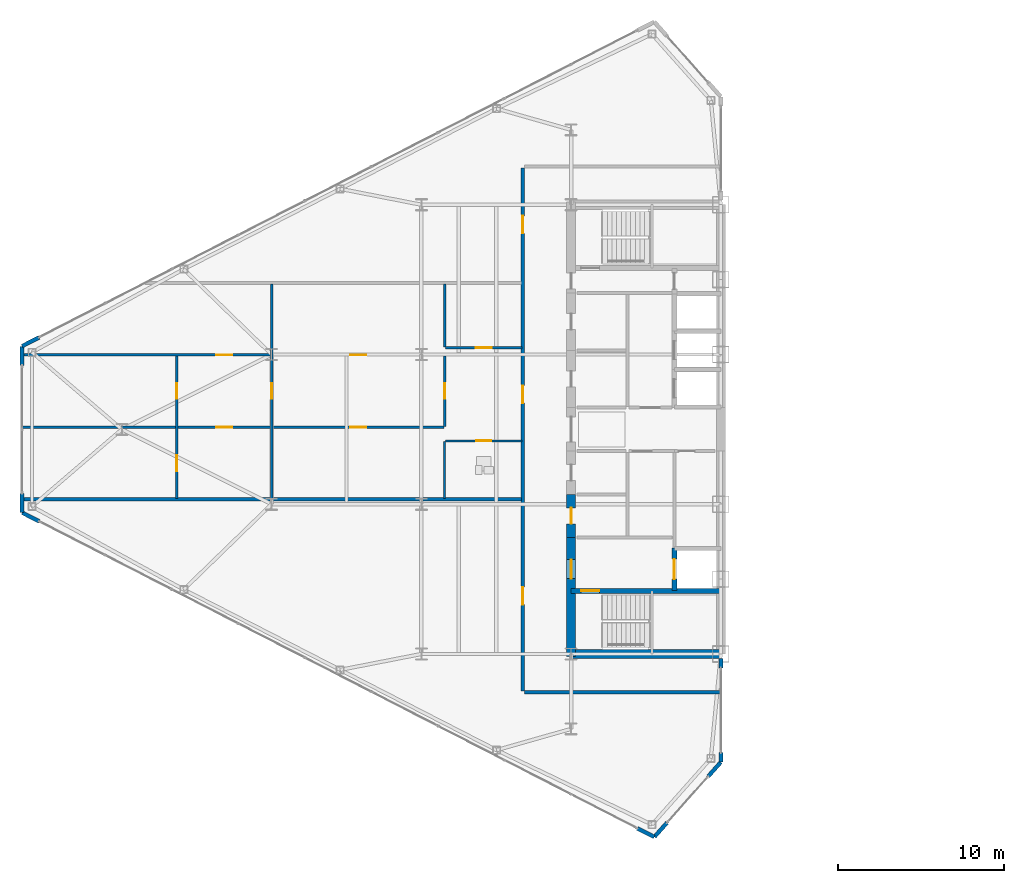
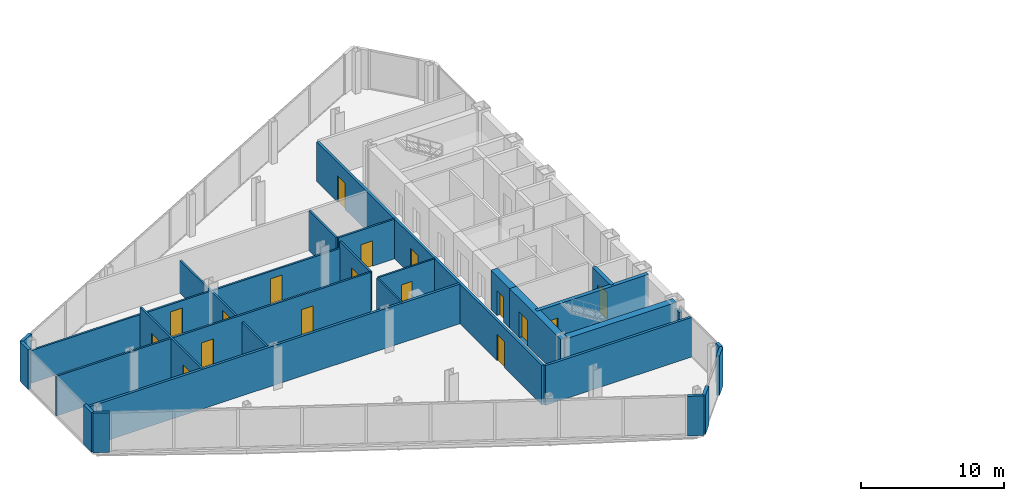
# One storey, part 15 of 22: 26 walls, 17 doors, 17 openings.
"""IFC4 building model written with IfcOpenShell, lengths in metres."""

from ifc_helpers import new_model, si_unit, direction, frame, frame_2d, origin, place, context, subcontext, project, spatial, rectangle, extrude, source, transform, mapped, material, layer, layer_set, type_object, type_shapes, element, fill, save


model = new_model("IFC4")

# Units and contexts
model_context = context("Model", 3, precision=1e-05, world=origin(), true_north=direction((0.0, 1.0)))
body_context = subcontext(model_context, "Body", "Model", "MODEL_VIEW")
ifc_project = project(units=[si_unit("LENGTHUNIT", "METRE"), si_unit("AREAUNIT", "SQUARE_METRE"), si_unit("VOLUMEUNIT", "CUBIC_METRE"), si_unit("PLANEANGLEUNIT", "RADIAN"), si_unit("MASSUNIT", "GRAM", prefix="KILO")], contexts=[model_context])

# Site, building, storey
site_placement = place(None, origin())
site = spatial("IfcSite", under=ifc_project, at=site_placement, CompositionType="ELEMENT")
building_placement = place(site_placement, origin())
building = spatial("IfcBuilding", under=site, at=building_placement, Name="Seokmaru Belvedere", CompositionType="ELEMENT")
storey_placement = place(building_placement, frame((0.0, 0.0, 151.199951171875)))
storey = spatial("IfcBuildingStorey", under=building, at=storey_placement, Name="L40", CompositionType="ELEMENT", Elevation=151.199951171875)

# Wall, openings, doors
ifc_material_1 = material(Name="Fire-Rated Gypsum Shaftwall")
ifc_layer_1 = layer(ifc_material_1, 0.14990234375)
ifc_layer_set_1 = layer_set([ifc_layer_1], Name="Fire-Rated Gypsum Shaftwall")
wall_type_1 = type_object("IfcWallType", Name="Apartment Fire-Acoustic Room Partition 150", PredefinedType="PARTITIONING", material=ifc_layer_set_1)
wall_1_placement = place(storey_placement, frame((-69.534912109375, 0.1298828125, 0.0), z_axis=(0.0, 0.0, 1.0), x_axis=(1.0, 0.0, 0.0)))
wall_1 = element("IfcWall", 1, at=wall_1_placement, inside=storey, type_object=wall_type_1, Name="L40 Interior Partition 009", PredefinedType="PARTITIONING", context=body_context, shape_type="SweptSolid", body=[
    extrude(rectangle(XDim=25.385009765625, YDim=0.14990234375, at=frame_2d((12.6923828125, 0.0))), origin(), (0.0, 0.0, 1.0), 3.380126953125),
])
opening_1_placement = place(wall_1_placement, frame((19.760009765625, 0.0, 0.0)))
opening_1 = element("IfcOpeningElement", 2, at=opening_1_placement, cuts=wall_1, Name="Opening D05", PredefinedType="OPENING", context=body_context, shape_type="SweptSolid", body=[
    extrude(rectangle(XDim=0.949951171875, YDim=2.14990234375, at=frame_2d((0.47509765625, 1.074951171875))), frame((0.0, 0.0849609375, 0.0), z_axis=(0.0, -1.0, 0.0), x_axis=(1.0, 0.0, 0.0)), (0.0, 0.0, 1.0), 0.169921875),
])
opening_2_placement = place(wall_1_placement, frame((11.7099609375, 0.0, 0.0)))
opening_2 = element("IfcOpeningElement", 3, at=opening_2_placement, cuts=wall_1, Name="Opening D05", PredefinedType="OPENING", context=body_context, shape_type="SweptSolid", body=[
    extrude(rectangle(XDim=0.949951171875, YDim=2.14990234375, at=frame_2d((0.47509765625, 1.074951171875))), frame((0.0, 0.0849609375, 0.0), z_axis=(0.0, -1.0, 0.0), x_axis=(1.0, 0.0, 0.0)), (0.0, 0.0, 1.0), 0.169921875),
])
ifc_material_2 = material(Name="Engineered White Oak Timber", Category="wood")
door_type_1 = type_object("IfcDoorType", Name="Apartment Interior Fire-Rated Oak Door 950x2150", OperationType="NOTDEFINED", PredefinedType="DOOR", material=ifc_material_2)
shared_shape_1 = source(origin(), body_context, "Body", "SweptSolid", [
    extrude(rectangle(XDim=0.949951171875, YDim=2.14990234375, at=frame_2d((0.47509765625, 1.074951171875))), frame((0.0, 0.02490234375, 0.0), z_axis=(0.0, -1.0, 0.0), x_axis=(1.0, 0.0, 0.0)), (0.0, 0.0, 1.0), 0.050048828125),
])
type_shapes(door_type_1, [shared_shape_1])
door_1_placement = place(opening_1_placement, origin())
door_1 = element("IfcDoor", 4, at=door_1_placement, inside=storey, type_object=door_type_1, Name="L40 Interior Door 007", OperationType="SINGLE_SWING_LEFT", OverallHeight=2.14990234375, OverallWidth=0.949951171875, PredefinedType="DOOR", context=body_context, shape_type="MappedRepresentation", body=[
    mapped(shared_shape_1, transform((0.0, 0.0, 0.0), scale=1.0)),
])
fill(opening_1, door_1)
door_2_placement = place(opening_2_placement, origin())
door_2 = element("IfcDoor", 5, at=door_2_placement, inside=storey, type_object=door_type_1, Name="L40 Interior Door 009", OperationType="SINGLE_SWING_LEFT", OverallHeight=2.14990234375, OverallWidth=0.949951171875, PredefinedType="DOOR", context=body_context, shape_type="MappedRepresentation", body=[
    mapped(shared_shape_1, transform((0.0, 0.0, 0.0), scale=1.0)),
])
fill(opening_2, door_2)

wall_2_placement = place(storey_placement, frame((-69.375, 4.469970703125, 0.0), z_axis=(0.0, 0.0, 1.0), x_axis=(1.0, 0.0, 0.0)))
wall_2 = element("IfcWall", 6, at=wall_2_placement, inside=storey, type_object=wall_type_1, Name="L40 Interior Partition 012", PredefinedType="PARTITIONING", context=body_context, shape_type="SweptSolid", body=[
    extrude(rectangle(XDim=25.22509765625, YDim=0.14990234375, at=frame_2d((12.612548828125, 0.0))), origin(), (0.0, 0.0, 1.0), 2.780029296875),
])
opening_3_placement = place(wall_2_placement, frame((19.60009765625, 0.0, 0.0)))
opening_3 = element("IfcOpeningElement", 7, at=opening_3_placement, cuts=wall_2, Name="Opening D05", PredefinedType="OPENING", context=body_context, shape_type="SweptSolid", body=[
    extrude(rectangle(XDim=0.949951171875, YDim=2.14990234375, at=frame_2d((0.47509765625, 1.074951171875))), frame((0.0, 0.0849609375, 0.0), z_axis=(0.0, -1.0, 0.0), x_axis=(1.0, 0.0, 0.0)), (0.0, 0.0, 1.0), 0.169921875),
])
opening_4_placement = place(wall_2_placement, frame((11.550048828125, 0.0, 0.0)))
opening_4 = element("IfcOpeningElement", 8, at=opening_4_placement, cuts=wall_2, Name="Opening D05", PredefinedType="OPENING", context=body_context, shape_type="SweptSolid", body=[
    extrude(rectangle(XDim=0.949951171875, YDim=2.14990234375, at=frame_2d((0.47509765625, 1.074951171875))), frame((0.0, 0.0849609375, 0.0), z_axis=(0.0, -1.0, 0.0), x_axis=(1.0, 0.0, 0.0)), (0.0, 0.0, 1.0), 0.169921875),
])
door_3_placement = place(opening_3_placement, origin())
door_3 = element("IfcDoor", 9, at=door_3_placement, inside=storey, type_object=door_type_1, Name="L40 Interior Door 008", OperationType="SINGLE_SWING_RIGHT", OverallHeight=2.14990234375, OverallWidth=0.949951171875, PredefinedType="DOOR", context=body_context, shape_type="MappedRepresentation", body=[
    mapped(shared_shape_1, transform((0.0, 0.0, 0.0), scale=1.0)),
])
fill(opening_3, door_3)
door_4_placement = place(opening_4_placement, origin())
door_4 = element("IfcDoor", 10, at=door_4_placement, inside=storey, type_object=door_type_1, Name="L40 Interior Door 012", OperationType="SINGLE_SWING_RIGHT", OverallHeight=2.14990234375, OverallWidth=0.949951171875, PredefinedType="DOOR", context=body_context, shape_type="MappedRepresentation", body=[
    mapped(shared_shape_1, transform((0.0, 0.0, 0.0), scale=1.0)),
])
fill(opening_4, door_4)

# Wall, opening, door
wall_3_placement = place(storey_placement, frame((-44.050048828125, 4.89990234375, 0.0), z_axis=(0.0, 0.0, 1.0), x_axis=(1.0, 0.0, 0.0)))
wall_3 = element("IfcWall", 11, at=wall_3_placement, inside=storey, type_object=wall_type_1, Name="L40 Interior Partition 013", PredefinedType="PARTITIONING", context=body_context, shape_type="SweptSolid", body=[
    extrude(rectangle(XDim=4.60009765625, YDim=0.14990234375, at=frame_2d((2.300048828125, 0.0))), origin(), (0.0, 0.0, 1.0), 3.380126953125),
])
opening_5_placement = place(wall_3_placement, frame((1.824951171875, 0.0, 0.0)))
opening_5 = element("IfcOpeningElement", 12, at=opening_5_placement, cuts=wall_3, Name="Opening D05", PredefinedType="OPENING", context=body_context, shape_type="SweptSolid", body=[
    extrude(rectangle(XDim=0.949951171875, YDim=2.14990234375, at=frame_2d((0.47509765625, 1.074951171875))), frame((0.0, 0.0849609375, 0.0), z_axis=(0.0, -1.0, 0.0), x_axis=(1.0, 0.0, 0.0)), (0.0, 0.0, 1.0), 0.169921875),
])
door_5_placement = place(opening_5_placement, origin())
door_5 = element("IfcDoor", 13, at=door_5_placement, inside=storey, type_object=door_type_1, Name="L40 Interior Door 004", OperationType="SINGLE_SWING_LEFT", OverallHeight=2.14990234375, OverallWidth=0.949951171875, PredefinedType="DOOR", context=body_context, shape_type="MappedRepresentation", body=[
    mapped(shared_shape_1, transform((0.0, 0.0, 0.0), scale=1.0)),
])
fill(opening_5, door_5)

# Wall, openings, doors
wall_4_placement = place(storey_placement, frame((-60.199951171875, -4.14990234375, 0.0), z_axis=(0.0, 0.0, 1.0), x_axis=(0.0, 1.0, 0.0)))
wall_4 = element("IfcWall", 14, at=wall_4_placement, inside=storey, type_object=wall_type_1, Name="L40 Interior Partition 023", PredefinedType="PARTITIONING", context=body_context, shape_type="SweptSolid", body=[
    extrude(rectangle(XDim=8.56689453125, YDim=0.14990234375, at=frame_2d((4.283447265625, 0.0))), origin(), (0.0, 0.0, 1.0), 3.380126953125),
])
opening_6_placement = place(wall_4_placement, frame((1.6416015625, 0.0, 0.0)))
opening_6 = element("IfcOpeningElement", 15, at=opening_6_placement, cuts=wall_4, Name="Opening D05", PredefinedType="OPENING", context=body_context, shape_type="SweptSolid", body=[
    extrude(rectangle(XDim=0.949951171875, YDim=2.14990234375, at=frame_2d((0.47509765625, 1.074951171875))), frame((0.0, 0.0849609375, 0.0), z_axis=(0.0, -1.0, 0.0), x_axis=(1.0, 0.0, 0.0)), (0.0, 0.0, 1.0), 0.169921875),
])
opening_7_placement = place(wall_4_placement, frame((5.97509765625, 0.0, 0.0)))
opening_7 = element("IfcOpeningElement", 16, at=opening_7_placement, cuts=wall_4, Name="Opening D05", PredefinedType="OPENING", context=body_context, shape_type="SweptSolid", body=[
    extrude(rectangle(XDim=0.949951171875, YDim=2.14990234375, at=frame_2d((0.47509765625, 1.074951171875))), frame((0.0, 0.0849609375, 0.0), z_axis=(0.0, -1.0, 0.0), x_axis=(1.0, 0.0, 0.0)), (0.0, 0.0, 1.0), 0.169921875),
])
door_6_placement = place(opening_6_placement, origin())
door_6 = element("IfcDoor", 17, at=door_6_placement, inside=storey, type_object=door_type_1, Name="L40 Interior Door 010", OperationType="SINGLE_SWING_RIGHT", OverallHeight=2.14990234375, OverallWidth=0.949951171875, PredefinedType="DOOR", context=body_context, shape_type="MappedRepresentation", body=[
    mapped(shared_shape_1, transform((0.0, 0.0, 0.0), scale=1.0)),
])
fill(opening_6, door_6)
door_7_placement = place(opening_7_placement, origin())
door_7 = element("IfcDoor", 18, at=door_7_placement, inside=storey, type_object=door_type_1, Name="L40 Interior Door 011", OperationType="SINGLE_SWING_RIGHT", OverallHeight=2.14990234375, OverallWidth=0.949951171875, PredefinedType="DOOR", context=body_context, shape_type="MappedRepresentation", body=[
    mapped(shared_shape_1, transform((0.0, 0.0, 0.0), scale=1.0)),
])
fill(opening_7, door_7)

# Wall, opening, door
wall_5_placement = place(storey_placement, frame((-54.5, -4.14990234375, 0.0), z_axis=(0.0, 0.0, 1.0), x_axis=(0.0, 1.0, 0.0)))
wall_5 = element("IfcWall", 19, at=wall_5_placement, inside=storey, type_object=wall_type_1, Name="L40 Interior Partition 024", PredefinedType="PARTITIONING", context=body_context, shape_type="SweptSolid", body=[
    extrude(rectangle(XDim=12.89990234375, YDim=0.14990234375, at=frame_2d((6.449951171875, 0.0))), origin(), (0.0, 0.0, 1.0), 2.780029296875),
])
opening_8_placement = place(wall_5_placement, frame((5.97509765625, 0.0, 0.0)))
opening_8 = element("IfcOpeningElement", 20, at=opening_8_placement, cuts=wall_5, Name="Opening D05", PredefinedType="OPENING", context=body_context, shape_type="SweptSolid", body=[
    extrude(rectangle(XDim=0.949951171875, YDim=2.14990234375, at=frame_2d((0.47509765625, 1.074951171875))), frame((0.0, 0.0849609375, 0.0), z_axis=(0.0, -1.0, 0.0), x_axis=(1.0, 0.0, 0.0)), (0.0, 0.0, 1.0), 0.169921875),
])
door_8_placement = place(opening_8_placement, origin())
door_8 = element("IfcDoor", 21, at=door_8_placement, inside=storey, type_object=door_type_1, Name="L40 Interior Door 006", OperationType="SINGLE_SWING_LEFT", OverallHeight=2.14990234375, OverallWidth=0.949951171875, PredefinedType="DOOR", context=body_context, shape_type="MappedRepresentation", body=[
    mapped(shared_shape_1, transform((0.0, 0.0, 0.0), scale=1.0)),
])
fill(opening_8, door_8)

wall_6_placement = place(storey_placement, frame((-44.10009765625, 0.18310546875, 0.0), z_axis=(0.0, 0.0, 1.0), x_axis=(0.0, 1.0, 0.0)))
wall_6 = element("IfcWall", 22, at=wall_6_placement, inside=storey, type_object=wall_type_1, Name="L40 Interior Partition 026", PredefinedType="PARTITIONING", context=body_context, shape_type="SweptSolid", body=[
    extrude(rectangle(XDim=4.23388671875, YDim=0.14990234375, at=frame_2d((2.116943359375, 0.0))), origin(), (0.0, 0.0, 1.0), 3.380126953125),
])
opening_9_placement = place(wall_6_placement, frame((1.64208984375, 0.0, 0.0)))
opening_9 = element("IfcOpeningElement", 23, at=opening_9_placement, cuts=wall_6, Name="Opening D05", PredefinedType="OPENING", context=body_context, shape_type="SweptSolid", body=[
    extrude(rectangle(XDim=0.949951171875, YDim=2.14990234375, at=frame_2d((0.47509765625, 1.074951171875))), frame((0.0, 0.0849609375, 0.0), z_axis=(0.0, -1.0, 0.0), x_axis=(1.0, 0.0, 0.0)), (0.0, 0.0, 1.0), 0.169921875),
])
door_9_placement = place(opening_9_placement, origin())
door_9 = element("IfcDoor", 24, at=door_9_placement, inside=storey, type_object=door_type_1, Name="L40 Interior Door 005", OperationType="SINGLE_SWING_RIGHT", OverallHeight=2.14990234375, OverallWidth=0.949951171875, PredefinedType="DOOR", context=body_context, shape_type="MappedRepresentation", body=[
    mapped(shared_shape_1, transform((0.0, 0.0, 0.0), scale=1.0)),
])
fill(opening_9, door_9)

# Walls
wall_7_placement = place(storey_placement, frame((-44.10009765625, 4.951904296875, 0.0), z_axis=(0.0, 0.0, 1.0), x_axis=(0.0, 1.0, 0.0)))
element("IfcWall", 25, at=wall_7_placement, inside=storey, type_object=wall_type_1, Name="L40 Interior Partition 027", PredefinedType="PARTITIONING", context=body_context, shape_type="SweptSolid", body=[
    extrude(rectangle(XDim=3.798095703125, YDim=0.14990234375, at=frame_2d((1.89892578125, 0.0))), origin(), (0.0, 0.0, 1.0), 3.380126953125),
])
ifc_layer_2 = layer(ifc_material_1, 0.199951171875)
ifc_layer_set_2 = layer_set([ifc_layer_2], Name="Fire-Rated Gypsum Shaftwall")
wall_type_2 = type_object("IfcWallType", Name="Inter-Tenancy Fire Compartment Partition 200", PredefinedType="PARTITIONING", material=ifc_layer_set_2)
wall_8_placement = place(storey_placement, frame((-39.31494140625, -15.800048828125, 0.0), z_axis=(0.0, 0.0, 1.0), x_axis=(1.0, 0.0, 0.0)))
element("IfcWall", 26, at=wall_8_placement, inside=storey, type_object=wall_type_2, Name="L40 Interior Partition 001", PredefinedType="PARTITIONING", context=body_context, shape_type="SweptSolid", body=[
    extrude(rectangle(XDim=11.81494140625, YDim=0.199951171875, at=frame_2d((5.907470703125, 0.0))), origin(), (0.0, 0.0, 1.0), 3.380126953125),
])
wall_9_placement = place(storey_placement, frame((-69.375, -4.199951171875, 0.0), z_axis=(0.0, 0.0, 1.0), x_axis=(1.0, 0.0, 0.0)))
element("IfcWall", 27, at=wall_9_placement, inside=storey, type_object=wall_type_2, Name="L40 Interior Partition 006", PredefinedType="PARTITIONING", context=body_context, shape_type="SweptSolid", body=[
    extrude(rectangle(XDim=29.89501953125, YDim=0.199951171875, at=frame_2d((14.947509765625, 0.0))), origin(), (0.0, 0.0, 1.0), 3.380126953125),
])

# Wall, openings, doors
wall_10_placement = place(storey_placement, frame((-39.39990234375, -15.715087890625, 0.0), z_axis=(0.0, 0.0, 1.0), x_axis=(0.0, 1.0, 0.0)))
wall_10 = element("IfcWall", 28, at=wall_10_placement, inside=storey, type_object=wall_type_2, Name="L40 Interior Partition 028", PredefinedType="PARTITIONING", context=body_context, shape_type="SweptSolid", body=[
    extrude(rectangle(XDim=31.43017578125, YDim=0.199951171875, at=frame_2d((15.715087890625, 0.0))), origin(), (0.0, 0.0, 1.0), 3.380126953125),
])
opening_10_placement = place(wall_10_placement, frame((5.18994140625, 0.0, 0.0)))
opening_10 = element("IfcOpeningElement", 29, at=opening_10_placement, cuts=wall_10, Name="Opening D03", PredefinedType="OPENING", context=body_context, shape_type="SweptSolid", body=[
    extrude(rectangle(XDim=1.050048828125, YDim=2.25, at=frame_2d((0.52490234375, 1.125))), frame((0.0, 0.10986328125, 0.0), z_axis=(0.0, -1.0, 0.0), x_axis=(1.0, 0.0, 0.0)), (0.0, 0.0, 1.0), 0.219970703125),
])
opening_11_placement = place(wall_10_placement, frame((17.294921875, 0.0, 0.0)))
opening_11 = element("IfcOpeningElement", 30, at=opening_11_placement, cuts=wall_10, Name="Opening D03", PredefinedType="OPENING", context=body_context, shape_type="SweptSolid", body=[
    extrude(rectangle(XDim=1.050048828125, YDim=2.25, at=frame_2d((0.52490234375, 1.125))), frame((0.0, 0.10986328125, 0.0), z_axis=(0.0, -1.0, 0.0), x_axis=(1.0, 0.0, 0.0)), (0.0, 0.0, 1.0), 0.219970703125),
])
opening_12_placement = place(wall_10_placement, frame((27.489990234375, 0.0, 0.0)))
opening_12 = element("IfcOpeningElement", 31, at=opening_12_placement, cuts=wall_10, Name="Opening D03", PredefinedType="OPENING", context=body_context, shape_type="SweptSolid", body=[
    extrude(rectangle(XDim=1.050048828125, YDim=2.25, at=frame_2d((0.52490234375, 1.125))), frame((0.0, 0.10986328125, 0.0), z_axis=(0.0, -1.0, 0.0), x_axis=(1.0, 0.0, 0.0)), (0.0, 0.0, 1.0), 0.219970703125),
])
ifc_material_3 = material(Name="Fire-Rated Steel Leaf", Category="steel")
door_type_2 = type_object("IfcDoorType", Name="Apartment Entrance Fire Door 1050x2250", OperationType="NOTDEFINED", PredefinedType="DOOR", material=ifc_material_3)
shared_shape_2 = source(origin(), body_context, "Body", "SweptSolid", [
    extrude(rectangle(XDim=1.050048828125, YDim=2.25, at=frame_2d((0.52490234375, 1.125))), frame((0.0, 0.02490234375, 0.0), z_axis=(0.0, -1.0, 0.0), x_axis=(1.0, 0.0, 0.0)), (0.0, 0.0, 1.0), 0.050048828125),
])
type_shapes(door_type_2, [shared_shape_2])
door_10_placement = place(opening_10_placement, origin())
door_10 = element("IfcDoor", 32, at=door_10_placement, inside=storey, type_object=door_type_2, Name="L40 Interior Door 001", OperationType="SINGLE_SWING_RIGHT", OverallHeight=2.25, OverallWidth=1.050048828125, PredefinedType="DOOR", context=body_context, shape_type="MappedRepresentation", body=[
    mapped(shared_shape_2, transform((0.0, 0.0, 0.0), scale=1.0)),
])
fill(opening_10, door_10)
door_11_placement = place(opening_11_placement, origin())
door_11 = element("IfcDoor", 33, at=door_11_placement, inside=storey, type_object=door_type_2, Name="L40 Interior Door 002", OperationType="SINGLE_SWING_LEFT", OverallHeight=2.25, OverallWidth=1.050048828125, PredefinedType="DOOR", context=body_context, shape_type="MappedRepresentation", body=[
    mapped(shared_shape_2, transform((0.0, 0.0, 0.0), scale=1.0)),
])
fill(opening_11, door_11)
door_12_placement = place(opening_12_placement, origin())
door_12 = element("IfcDoor", 34, at=door_12_placement, inside=storey, type_object=door_type_2, Name="L40 Interior Door 013", OperationType="SINGLE_SWING_RIGHT", OverallHeight=2.25, OverallWidth=1.050048828125, PredefinedType="DOOR", context=body_context, shape_type="MappedRepresentation", body=[
    mapped(shared_shape_2, transform((0.0, 0.0, 0.0), scale=1.0)),
])
fill(opening_12, door_12)

# Wall, opening, door
ifc_material_4 = material(Name="Concrete C50 (50 MPa)", Category="concrete")
ifc_layer_3 = layer(ifc_material_4, 0.300048828125)
ifc_layer_set_3 = layer_set([ifc_layer_3], Name="Concrete C50 (50 MPa)")
wall_type_3 = type_object("IfcWallType", Name="Internal Core Stair and Hoistway Wall 300", PredefinedType="SHEAR", material=ifc_layer_set_3)
wall_11_placement = place(storey_placement, frame((-36.5, -9.699951171875, 0.0), z_axis=(0.0, 0.0, 1.0), x_axis=(1.0, 0.0, 0.0)))
wall_11 = element("IfcWall", 35, at=wall_11_placement, inside=storey, type_object=wall_type_3, Name="L40 West Stair ST-1 Enclosure Wall", PredefinedType="SHEAR", context=body_context, shape_type="SweptSolid", body=[
    extrude(rectangle(XDim=9.0, YDim=0.300048828125, at=frame_2d((4.5, 0.0))), origin(), (0.0, 0.0, 1.0), 3.380126953125),
])
opening_13_placement = place(wall_11_placement, frame((0.60009765625, 0.0, 0.0)))
opening_13 = element("IfcOpeningElement", 36, at=opening_13_placement, cuts=wall_11, Name="Opening D01", PredefinedType="OPENING", context=body_context, shape_type="SweptSolid", body=[
    extrude(rectangle(XDim=1.10009765625, YDim=2.199951171875, at=frame_2d((0.550048828125, 1.10009765625))), frame((0.0, 0.16015625, 0.0), z_axis=(0.0, -1.0, 0.0), x_axis=(1.0, 0.0, 0.0)), (0.0, 0.0, 1.0), 0.320068359375),
])
door_type_3 = type_object("IfcDoorType", Name="Special Escape Stair Smokeproof Fire Door 1100x2200", OperationType="NOTDEFINED", PredefinedType="DOOR", material=ifc_material_3)
shared_shape_3 = source(origin(), body_context, "Body", "SweptSolid", [
    extrude(rectangle(XDim=1.10009765625, YDim=2.199951171875, at=frame_2d((0.550048828125, 1.10009765625))), frame((0.0, 0.02490234375, 0.0), z_axis=(0.0, -1.0, 0.0), x_axis=(1.0, 0.0, 0.0)), (0.0, 0.0, 1.0), 0.050048828125),
])
type_shapes(door_type_3, [shared_shape_3])
door_13_placement = place(opening_13_placement, frame((1.10009765625, 0.0, 0.0), z_axis=(0.0, 0.0, 1.0), x_axis=(-1.0, 0.0, 0.0)))
door_13 = element("IfcDoor", 37, at=door_13_placement, inside=storey, type_object=door_type_3, Name="L40 West Special Escape Stair ST-1 Door", OperationType="SINGLE_SWING_LEFT", OverallHeight=2.199951171875, OverallWidth=1.10009765625, PredefinedType="DOOR", context=body_context, shape_type="MappedRepresentation", body=[
    mapped(shared_shape_3, transform((0.0, 0.0, 0.0), scale=1.0)),
])
fill(opening_13, door_13)

wall_12_placement = place(storey_placement, frame((-30.300048828125, -9.679931640625, 0.0), z_axis=(0.0, 0.0, 1.0), x_axis=(0.0, 1.0, 0.0)))
wall_12 = element("IfcWall", 38, at=wall_12_placement, inside=storey, type_object=wall_type_3, Name="L40 West Firefighting Lift Shaft Front Wall", PredefinedType="SHEAR", context=body_context, shape_type="SweptSolid", body=[
    extrude(rectangle(XDim=2.559814453125, YDim=0.300048828125, at=frame_2d((1.27978515625, 0.0))), origin(), (0.0, 0.0, 1.0), 3.380126953125),
])
opening_14_placement = place(wall_12_placement, frame((0.679931640625, 0.0, 0.0)))
opening_14 = element("IfcOpeningElement", 39, at=opening_14_placement, cuts=wall_12, Name="Opening LD2", PredefinedType="OPENING", context=body_context, shape_type="SweptSolid", body=[
    extrude(rectangle(XDim=1.199951171875, YDim=2.25, at=frame_2d((0.60009765625, 1.125))), frame((0.0, 0.16015625, 0.0), z_axis=(0.0, -1.0, 0.0), x_axis=(1.0, 0.0, 0.0)), (0.0, 0.0, 1.0), 0.320068359375),
])
ifc_material_5 = material(Name="Stainless Steel 316", Category="steel")
door_type_4 = type_object("IfcDoorType", Name="Firefighting Lift Sliding Landing Door 1200x2250", OperationType="DOUBLE_DOOR_SLIDING", PredefinedType="DOOR", material=ifc_material_5)
shared_shape_4 = source(origin(), body_context, "Body", "SweptSolid", [
    extrude(rectangle(XDim=1.199951171875, YDim=2.25, at=frame_2d((0.60009765625, 1.125))), frame((0.0, 0.02490234375, 0.0), z_axis=(0.0, -1.0, 0.0), x_axis=(1.0, 0.0, 0.0)), (0.0, 0.0, 1.0), 0.050048828125),
])
type_shapes(door_type_4, [shared_shape_4])
door_14_placement = place(opening_14_placement, origin())
door_14 = element("IfcDoor", 40, at=door_14_placement, inside=storey, type_object=door_type_4, Name="L40 West Firefighting Lift Landing Door", OperationType="DOUBLE_DOOR_SLIDING", OverallHeight=2.25, OverallWidth=1.199951171875, PredefinedType="DOOR", context=body_context, shape_type="MappedRepresentation", body=[
    mapped(shared_shape_4, transform((0.0, 0.0, 0.0), scale=1.0)),
])
fill(opening_14, door_14)

# Wall
ifc_layer_4 = layer(ifc_material_4, 0.550048828125)
ifc_layer_set_4 = layer_set([ifc_layer_4], Name="Concrete C50 (50 MPa)")
wall_type_4 = type_object("IfcWallType", Name="Mid-High Reinforced Concrete Core Wall 550", PredefinedType="SHEAR", material=ifc_layer_set_4)
wall_13_placement = place(storey_placement, frame((-36.5, -13.5, 0.0), z_axis=(0.0, 0.0, 1.0), x_axis=(1.0, 0.0, 0.0)))
element("IfcWall", 41, at=wall_13_placement, inside=storey, type_object=wall_type_4, Name="L40 West South Core Wall", PredefinedType="SHEAR", context=body_context, shape_type="SweptSolid", body=[
    extrude(rectangle(XDim=9.0, YDim=0.550048828125, at=frame_2d((4.5, 0.0))), origin(), (0.0, 0.0, 1.0), 3.380126953125),
])

# Wall, opening, door
wall_14_placement = place(storey_placement, frame((-36.5, -13.64990234375, 0.0), z_axis=(0.0, 0.0, 1.0), x_axis=(0.0, 1.0, 0.0)))
wall_14 = element("IfcWall", 42, at=wall_14_placement, inside=storey, type_object=wall_type_4, Name="L40 West West Core Wall FF", PredefinedType="SHEAR", context=body_context, shape_type="SweptSolid", body=[
    extrude(rectangle(XDim=7.14990234375, YDim=0.550048828125, at=frame_2d((3.574951171875, 0.0))), origin(), (0.0, 0.0, 1.0), 3.380126953125),
])
opening_15_placement = place(wall_14_placement, frame((4.675048828125, 0.0, 0.0)))
opening_15 = element("IfcOpeningElement", 43, at=opening_15_placement, cuts=wall_14, Name="Opening D02", PredefinedType="OPENING", context=body_context, shape_type="SweptSolid", body=[
    extrude(rectangle(XDim=1.14990234375, YDim=2.199951171875, at=frame_2d((0.574951171875, 1.10009765625))), frame((0.0, 0.28515625, 0.0), z_axis=(0.0, -1.0, 0.0), x_axis=(1.0, 0.0, 0.0)), (0.0, 0.0, 1.0), 0.570068359375),
])
door_type_5 = type_object("IfcDoorType", Name="Lobby and Vestibule Fire Door 1150x2200", OperationType="NOTDEFINED", PredefinedType="DOOR", material=ifc_material_3)
shared_shape_5 = source(origin(), body_context, "Body", "SweptSolid", [
    extrude(rectangle(XDim=1.14990234375, YDim=2.199951171875, at=frame_2d((0.574951171875, 1.10009765625))), frame((0.0, 0.02490234375, 0.0), z_axis=(0.0, -1.0, 0.0), x_axis=(1.0, 0.0, 0.0)), (0.0, 0.0, 1.0), 0.050048828125),
])
type_shapes(door_type_5, [shared_shape_5])
door_15_placement = place(opening_15_placement, frame((1.14990234375, 0.0, 0.0), z_axis=(0.0, 0.0, 1.0), x_axis=(-1.0, 0.0, 0.0)))
door_15 = element("IfcDoor", 44, at=door_15_placement, inside=storey, type_object=door_type_5, Name="L40 West Firefighting Lobby Door", OperationType="SINGLE_SWING_LEFT", OverallHeight=2.199951171875, OverallWidth=1.14990234375, PredefinedType="DOOR", context=body_context, shape_type="MappedRepresentation", body=[
    mapped(shared_shape_5, transform((0.0, 0.0, 0.0), scale=1.0)),
])
fill(opening_15, door_15)

wall_15_placement = place(storey_placement, frame((-36.5, -6.5, 0.0), z_axis=(0.0, 0.0, 1.0), x_axis=(0.0, 1.0, 0.0)))
wall_15 = element("IfcWall", 45, at=wall_15_placement, inside=storey, type_object=wall_type_4, Name="L40 West West Core Wall CS1", PredefinedType="SHEAR", context=body_context, shape_type="SweptSolid", body=[
    extrude(rectangle(XDim=2.60009765625, YDim=0.550048828125, at=frame_2d((1.300048828125, 0.0))), origin(), (0.0, 0.0, 1.0), 3.380126953125),
])
opening_16_placement = place(wall_15_placement, frame((0.824951171875, 0.0, 0.0)))
opening_16 = element("IfcOpeningElement", 46, at=opening_16_placement, cuts=wall_15, Name="Opening D04", PredefinedType="OPENING", context=body_context, shape_type="SweptSolid", body=[
    extrude(rectangle(XDim=0.949951171875, YDim=2.14990234375, at=frame_2d((0.47509765625, 1.074951171875))), frame((0.0, 0.28515625, 0.0), z_axis=(0.0, -1.0, 0.0), x_axis=(1.0, 0.0, 0.0)), (0.0, 0.0, 1.0), 0.570068359375),
])
door_type_6 = type_object("IfcDoorType", Name="Core Service Room Fire Door 950x2150", OperationType="NOTDEFINED", PredefinedType="DOOR", material=ifc_material_3)
shared_shape_6 = source(origin(), body_context, "Body", "SweptSolid", [
    extrude(rectangle(XDim=0.949951171875, YDim=2.14990234375, at=frame_2d((0.47509765625, 1.074951171875))), frame((0.0, 0.02490234375, 0.0), z_axis=(0.0, -1.0, 0.0), x_axis=(1.0, 0.0, 0.0)), (0.0, 0.0, 1.0), 0.050048828125),
])
type_shapes(door_type_6, [shared_shape_6])
door_16_placement = place(opening_16_placement, origin())
door_16 = element("IfcDoor", 47, at=door_16_placement, inside=storey, type_object=door_type_6, Name="L40 West Core Service Room Door 1", OperationType="SINGLE_SWING_LEFT", OverallHeight=2.14990234375, OverallWidth=0.949951171875, PredefinedType="DOOR", context=body_context, shape_type="MappedRepresentation", body=[
    mapped(shared_shape_6, transform((0.0, 0.0, 0.0), scale=1.0)),
])
fill(opening_16, door_16)

ifc_layer_5 = layer(ifc_material_1, 0.1298828125)
ifc_layer_set_5 = layer_set([ifc_layer_5], Name="Fire-Rated Gypsum Shaftwall")
wall_type_5 = type_object("IfcWallType", Name="Moisture-Resistant Fire-Rated Bathroom Partition 130", PredefinedType="PARTITIONING", material=ifc_layer_set_5)
wall_16_placement = place(storey_placement, frame((-44.050048828125, -0.68994140625, 0.0), z_axis=(0.0, 0.0, 1.0), x_axis=(1.0, 0.0, 0.0)))
wall_16 = element("IfcWall", 48, at=wall_16_placement, inside=storey, type_object=wall_type_5, Name="L40 Interior Partition 007", PredefinedType="PARTITIONING", context=body_context, shape_type="SweptSolid", body=[
    extrude(rectangle(XDim=4.60009765625, YDim=0.1298828125, at=frame_2d((2.300048828125, 0.0))), origin(), (0.0, 0.0, 1.0), 3.380126953125),
])
opening_17_placement = place(wall_16_placement, frame((1.860107421875, 0.0, 0.0)))
opening_17 = element("IfcOpeningElement", 49, at=opening_17_placement, cuts=wall_16, Name="Opening D06", PredefinedType="OPENING", context=body_context, shape_type="SweptSolid", body=[
    extrude(rectangle(XDim=0.8798828125, YDim=2.10009765625, at=frame_2d((0.43994140625, 1.050048828125))), frame((0.0, 0.074951171875, 0.0), z_axis=(0.0, -1.0, 0.0), x_axis=(1.0, 0.0, 0.0)), (0.0, 0.0, 1.0), 0.14990234375),
])
door_type_7 = type_object("IfcDoorType", Name="Bathroom and Restroom Fire-Rated Door 880x2100", OperationType="NOTDEFINED", PredefinedType="DOOR", material=ifc_material_2)
shared_shape_7 = source(origin(), body_context, "Body", "SweptSolid", [
    extrude(rectangle(XDim=0.8798828125, YDim=2.10009765625, at=frame_2d((0.43994140625, 1.050048828125))), frame((0.0, 0.02490234375, 0.0), z_axis=(0.0, -1.0, 0.0), x_axis=(1.0, 0.0, 0.0)), (0.0, 0.0, 1.0), 0.050048828125),
])
type_shapes(door_type_7, [shared_shape_7])
door_17_placement = place(opening_17_placement, origin())
door_17 = element("IfcDoor", 50, at=door_17_placement, inside=storey, type_object=door_type_7, Name="L40 Interior Door 003", OperationType="SINGLE_SWING_LEFT", OverallHeight=2.10009765625, OverallWidth=0.8798828125, PredefinedType="DOOR", context=body_context, shape_type="MappedRepresentation", body=[
    mapped(shared_shape_7, transform((0.0, 0.0, 0.0), scale=1.0)),
])
fill(opening_17, door_17)

# Walls
wall_17_placement = place(storey_placement, frame((-44.10009765625, -4.14990234375, 0.0), z_axis=(0.0, 0.0, 1.0), x_axis=(0.0, 1.0, 0.0)))
element("IfcWall", 51, at=wall_17_placement, inside=storey, type_object=wall_type_5, Name="L40 Interior Partition 025", PredefinedType="PARTITIONING", context=body_context, shape_type="SweptSolid", body=[
    extrude(rectangle(XDim=3.407958984375, YDim=0.1298828125, at=frame_2d((1.7041015625, 0.0))), origin(), (0.0, 0.0, 1.0), 3.380126953125),
])
ifc_material_6 = material(Name="Anodised Bronze Aluminium", Category="aluminium")
ifc_layer_6 = layer(ifc_material_6, 0.239990234375)
ifc_layer_set_6 = layer_set([ifc_layer_6], Name="Anodised Bronze Aluminium")
wall_type_6 = type_object("IfcWallType", Name="Tower Corner Spandrel Closure Wall 240", PredefinedType="SOLIDWALL", material=ifc_layer_set_6)
wall_18_placement = place(storey_placement, frame((-27.5, -19.97998046875, 0.0), z_axis=(0.0, 0.0, 1.0), x_axis=(0.0, 1.0, 0.0)))
element("IfcWall", 52, at=wall_18_placement, inside=storey, type_object=wall_type_6, Name="L40 W Spine Closure Pier 1A", PredefinedType="SOLIDWALL", context=body_context, shape_type="SweptSolid", body=[
    extrude(rectangle(XDim=0.550048828125, YDim=0.239990234375, at=frame_2d((0.27490234375, 0.0))), origin(), (0.0, 0.0, 1.0), 3.380126953125),
])
wall_19_placement = place(storey_placement, frame((-27.5, -14.330078125, 0.0), z_axis=(0.0, 0.0, 1.0), x_axis=(0.0, 1.0, 0.0)))
element("IfcWall", 53, at=wall_19_placement, inside=storey, type_object=wall_type_6, Name="L40 W Spine Closure Pier 1B", PredefinedType="SOLIDWALL", context=body_context, shape_type="SweptSolid", body=[
    extrude(rectangle(XDim=0.550048828125, YDim=0.239990234375, at=frame_2d((0.27490234375, 0.0))), origin(), (0.0, 0.0, 1.0), 2.880126953125),
])
wall_20_placement = place(storey_placement, frame((-68.476806640625, 5.52490234375, 0.0), z_axis=(0.0, 0.0, 1.0), x_axis=(-0.889797395748, -0.456355776255, 0.0)))
element("IfcWall", 54, at=wall_20_placement, inside=storey, type_object=wall_type_6, Name="L40 W Corner Closure Pier 3B", PredefinedType="SOLIDWALL", context=body_context, shape_type="SweptSolid", body=[
    extrude(rectangle(XDim=1.14013671875, YDim=0.239990234375, at=frame_2d((0.570068359375, 0.0))), origin(), (0.0, 0.0, 1.0), 3.380126953125),
])
for number, where, z_axis, x_axis, name in (
    (55, (-69.5, 4.989990234375, 0.0), (0.0, 0.0, 1.0), (0.0, -1.0, 0.0), "L40 W Corner Closure Pier 4A"),
    (56, (-69.5, -3.85009765625, 0.0), (0.0, 0.0, 1.0), (0.0, -1.0, 0.0), "L40 W Corner Closure Pier 4B"),
):
    element("IfcWall", number, at=place(storey_placement, frame(where, z_axis=z_axis, x_axis=x_axis)), inside=storey, type_object=wall_type_6, Name=name, PredefinedType="SOLIDWALL", context=body_context, shape_type="SweptSolid", body=[
        extrude(rectangle(XDim=1.139892578125, YDim=0.239990234375, at=frame_2d((0.56982421875, 0.0))), origin(), (0.0, 0.0, 1.0), 3.380126953125),
    ])
for number, where, z_axis, x_axis, name in (
    (57, (-69.4912109375, -5.004638671875, 0.0), (0.0, 0.0, 1.0), (0.889797395748, -0.456355776255, 0.0), "L40 W Corner Closure Pier 5A"),
    (58, (-32.523193359375, -23.97509765625, 0.0), (0.0, 0.0, 1.0), (0.889797395748, -0.456355776255, 0.0), "L40 W Corner Closure Pier 5B"),
):
    element("IfcWall", number, at=place(storey_placement, frame(where, z_axis=z_axis, x_axis=x_axis)), inside=storey, type_object=wall_type_6, Name=name, PredefinedType="SOLIDWALL", context=body_context, shape_type="SweptSolid", body=[
        extrude(rectangle(XDim=1.14013671875, YDim=0.239990234375, at=frame_2d((0.570068359375, 0.0))), origin(), (0.0, 0.0, 1.0), 3.380126953125),
    ])
for number, where, z_axis, x_axis, name in (
    (59, (-31.493408203125, -24.492431640625, 0.0), (0.0, 0.0, 1.0), (0.664337252513, 0.747432950119, 0.0), "L40 W Corner Closure Pier 6A"),
    (60, (-28.263916015625, -20.859619140625, 0.0), (0.0, 0.0, 1.0), (0.664337252513, 0.747432950119, 0.0), "L40 W Corner Closure Pier 6B"),
):
    element("IfcWall", number, at=place(storey_placement, frame(where, z_axis=z_axis, x_axis=x_axis)), inside=storey, type_object=wall_type_6, Name=name, PredefinedType="SOLIDWALL", context=body_context, shape_type="SweptSolid", body=[
        extrude(rectangle(XDim=1.139892578125, YDim=0.239990234375, at=frame_2d((0.56982421875, 0.0))), origin(), (0.0, 0.0, 1.0), 3.380126953125),
    ])

save(model, "model.ifc")
